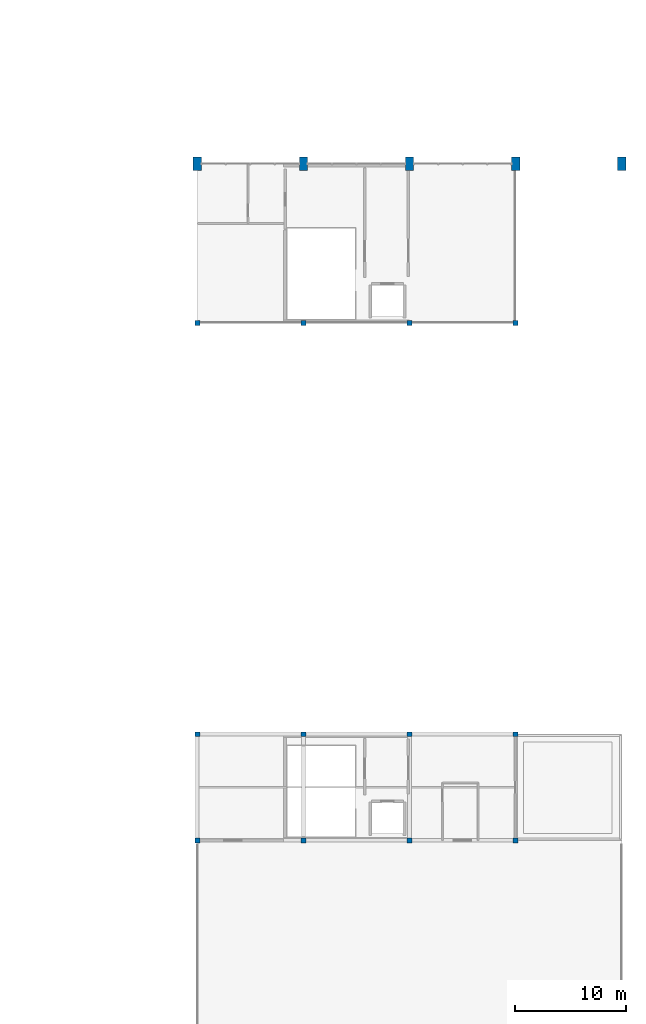
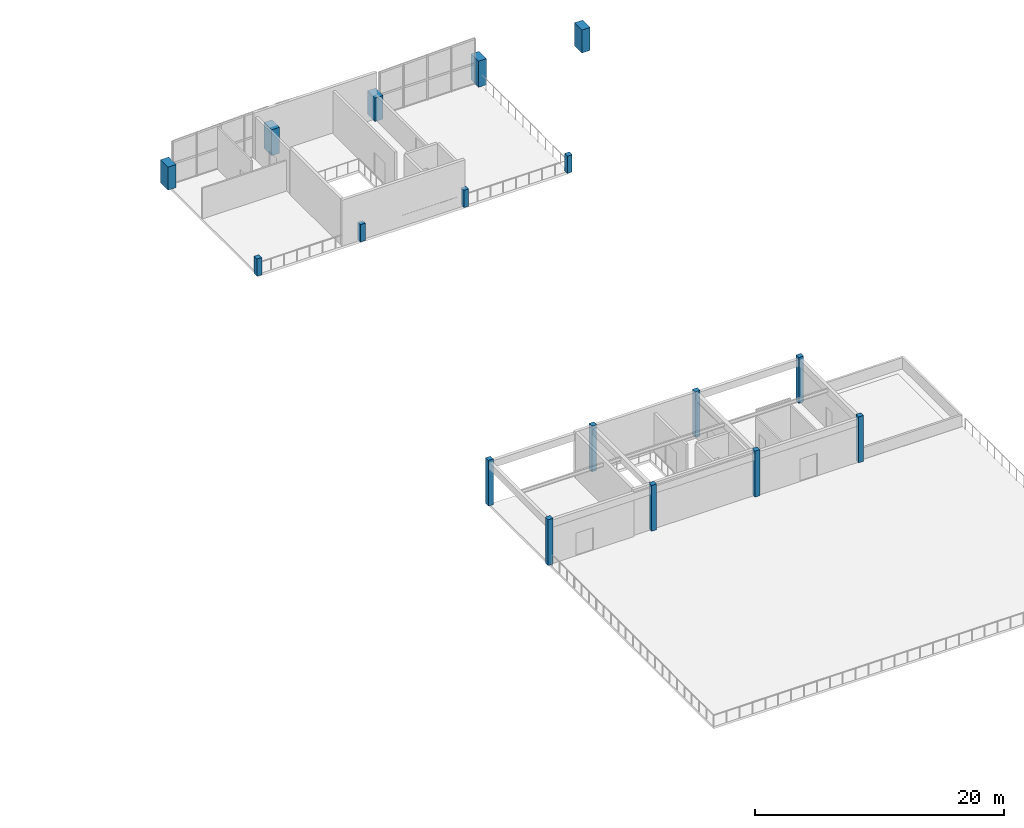
# One storey, part 2 of 22: 17 columns.
"""IFC4 building model written with IfcOpenShell, lengths in metres."""

from ifc_helpers import new_model, si_unit, direction, frame, origin, origin_2d, place, context, subcontext, project, spatial, rectangle, extrude, material, material_profile, profile_set, type_object, element, save


model = new_model("IFC4")

# Units and contexts
model_context = context("Model", 3, precision=1e-05, world=origin(), true_north=direction((0.0, 1.0)))
body_context = subcontext(model_context, "Body", "Model", "MODEL_VIEW")
ifc_project = project(units=[si_unit("LENGTHUNIT", "METRE"), si_unit("AREAUNIT", "SQUARE_METRE"), si_unit("VOLUMEUNIT", "CUBIC_METRE"), si_unit("PLANEANGLEUNIT", "RADIAN"), si_unit("MASSUNIT", "GRAM", prefix="KILO")], contexts=[model_context])

# Site, building, storey
site_placement = place(None, origin())
site = spatial("IfcSite", under=ifc_project, at=site_placement, CompositionType="ELEMENT")
building_placement = place(site_placement, origin())
building = spatial("IfcBuilding", under=site, at=building_placement, Name="Suirenkawa Promenade Aquatics Centre", CompositionType="ELEMENT")
storey_placement = place(building_placement, frame((0.0, 0.0, 14.10009765625)))
storey = spatial("IfcBuildingStorey", under=building, at=storey_placement, Name="L03", CompositionType="ELEMENT", Elevation=14.10009765625)

# Columns
ifc_material = material(Name="Concrete M40", Category="concrete")
ifc_material_profile_1 = material_profile(ifc_material, rectangle(XDim=0.75, YDim=1.199951171875, at=origin_2d()), Name="RC PIER 750x1200", Category="concrete")
ifc_profile_set_1 = profile_set([ifc_material_profile_1], Name="Concrete M40")
column_type_1 = type_object("IfcColumnType", Name="CT-PIER-750x1200", PredefinedType="COLUMN", material=ifc_profile_set_1)
column_1_placement = place(storey_placement, frame((156.0, 100.800048828125, 0.0), z_axis=(0.0, 0.0, 1.0), x_axis=(1.0, 0.0, 0.0)))
element("IfcColumn", 1, at=column_1_placement, inside=storey, type_object=column_type_1, Name="Column CL-08 COL-0015", PredefinedType="COLUMN", context=body_context, shape_type="SweptSolid", body=[
    extrude(rectangle(XDim=0.75, YDim=1.199951171875, at=origin_2d()), origin(), (0.0, 0.0, 1.0), 2.260009765625),
])
column_2_placement = place(storey_placement, frame((165.60009765625, 100.800048828125, 0.0), z_axis=(0.0, 0.0, 1.0), x_axis=(1.0, 0.0, 0.0)))
element("IfcColumn", 2, at=column_2_placement, inside=storey, type_object=column_type_1, Name="Column CL-08 COL-0020", PredefinedType="COLUMN", context=body_context, shape_type="SweptSolid", body=[
    extrude(rectangle(XDim=0.75, YDim=1.199951171875, at=origin_2d()), origin(), (0.0, 0.0, 1.0), 2.559814453125),
])
column_3_placement = place(storey_placement, frame((175.199951171875, 100.800048828125, 0.0), z_axis=(0.0, 0.0, 1.0), x_axis=(1.0, 0.0, 0.0)))
element("IfcColumn", 3, at=column_3_placement, inside=storey, type_object=column_type_1, Name="Column CL-08 COL-0025", PredefinedType="COLUMN", context=body_context, shape_type="SweptSolid", body=[
    extrude(rectangle(XDim=0.75, YDim=1.199951171875, at=origin_2d()), origin(), (0.0, 0.0, 1.0), 2.309814453125),
])
column_4_placement = place(storey_placement, frame((184.800048828125, 100.800048828125, 0.0), z_axis=(0.0, 0.0, 1.0), x_axis=(1.0, 0.0, 0.0)))
element("IfcColumn", 4, at=column_4_placement, inside=storey, type_object=column_type_1, Name="Column CL-08 COL-0030", PredefinedType="COLUMN", context=body_context, shape_type="SweptSolid", body=[
    extrude(rectangle(XDim=0.75, YDim=1.199951171875, at=origin_2d()), origin(), (0.0, 0.0, 1.0), 2.559814453125),
])
column_5_placement = place(storey_placement, frame((194.39990234375, 100.800048828125, 0.0), z_axis=(0.0, 0.0, 1.0), x_axis=(1.0, 0.0, 0.0)))
element("IfcColumn", 5, at=column_5_placement, inside=storey, type_object=column_type_1, Name="Column CL-08 COL-0035", PredefinedType="COLUMN", context=body_context, shape_type="SweptSolid", body=[
    extrude(rectangle(XDim=0.75, YDim=1.199951171875, at=origin_2d()), origin(), (0.0, 0.0, 1.0), 2.260009765625),
])
ifc_material_profile_2 = material_profile(ifc_material, rectangle(XDim=0.449951171875, YDim=0.449951171875, at=origin_2d()), Name="RC COL 450x450", Category="concrete")
ifc_profile_set_2 = profile_set([ifc_material_profile_2], Name="Concrete M40")
column_type_2 = type_object("IfcColumnType", Name="CT-RC-450", PredefinedType="COLUMN", material=ifc_profile_set_2)
for number, where, z_axis, x_axis, name in (
    (6, (156.0, 86.39990234375, 0.0), (0.0, 0.0, 1.0), (1.0, 0.0, 0.0), "Column CL-01 COL-0416"),
    (7, (165.60009765625, 86.39990234375, 0.0), (0.0, 0.0, 1.0), (1.0, 0.0, 0.0), "Column CL-01 COL-0421"),
    (8, (175.199951171875, 86.39990234375, 0.0), (0.0, 0.0, 1.0), (1.0, 0.0, 0.0), "Column CL-01 COL-0426"),
    (9, (184.800048828125, 86.39990234375, 0.0), (0.0, 0.0, 1.0), (1.0, 0.0, 0.0), "Column CL-01 COL-0431"),
):
    element("IfcColumn", number, at=place(storey_placement, frame(where, z_axis=z_axis, x_axis=x_axis)), inside=storey, type_object=column_type_2, Name=name, PredefinedType="COLUMN", context=body_context, shape_type="SweptSolid", body=[
        extrude(rectangle(XDim=0.449951171875, YDim=0.449951171875, at=origin_2d()), origin(), (0.0, 0.0, 1.0), 1.699951171875),
    ])
for number, where, z_axis, x_axis, name in (
    (10, (156.0, 39.60009765625, 0.0), (0.0, 0.0, 1.0), (1.0, 0.0, 0.0), "Column CL-01 COL-0456"),
    (11, (156.0, 49.199951171875, 0.0), (0.0, 0.0, 1.0), (1.0, 0.0, 0.0), "Column CL-01 COL-0461"),
    (12, (165.60009765625, 39.60009765625, 0.0), (0.0, 0.0, 1.0), (1.0, 0.0, 0.0), "Column CL-01 COL-0466"),
    (13, (165.60009765625, 49.199951171875, 0.0), (0.0, 0.0, 1.0), (1.0, 0.0, 0.0), "Column CL-01 COL-0471"),
    (14, (175.199951171875, 39.60009765625, 0.0), (0.0, 0.0, 1.0), (1.0, 0.0, 0.0), "Column CL-01 COL-0476"),
    (15, (175.199951171875, 49.199951171875, 0.0), (0.0, 0.0, 1.0), (1.0, 0.0, 0.0), "Column CL-01 COL-0481"),
    (16, (184.800048828125, 39.60009765625, 0.0), (0.0, 0.0, 1.0), (1.0, 0.0, 0.0), "Column CL-01 COL-0486"),
    (17, (184.800048828125, 49.199951171875, 0.0), (0.0, 0.0, 1.0), (1.0, 0.0, 0.0), "Column CL-01 COL-0491"),
):
    element("IfcColumn", number, at=place(storey_placement, frame(where, z_axis=z_axis, x_axis=x_axis)), inside=storey, type_object=column_type_2, Name=name, PredefinedType="COLUMN", context=body_context, shape_type="SweptSolid", body=[
        extrude(rectangle(XDim=0.449951171875, YDim=0.449951171875, at=origin_2d()), origin(), (0.0, 0.0, 1.0), 4.5),
    ])

save(model, "model.ifc")
